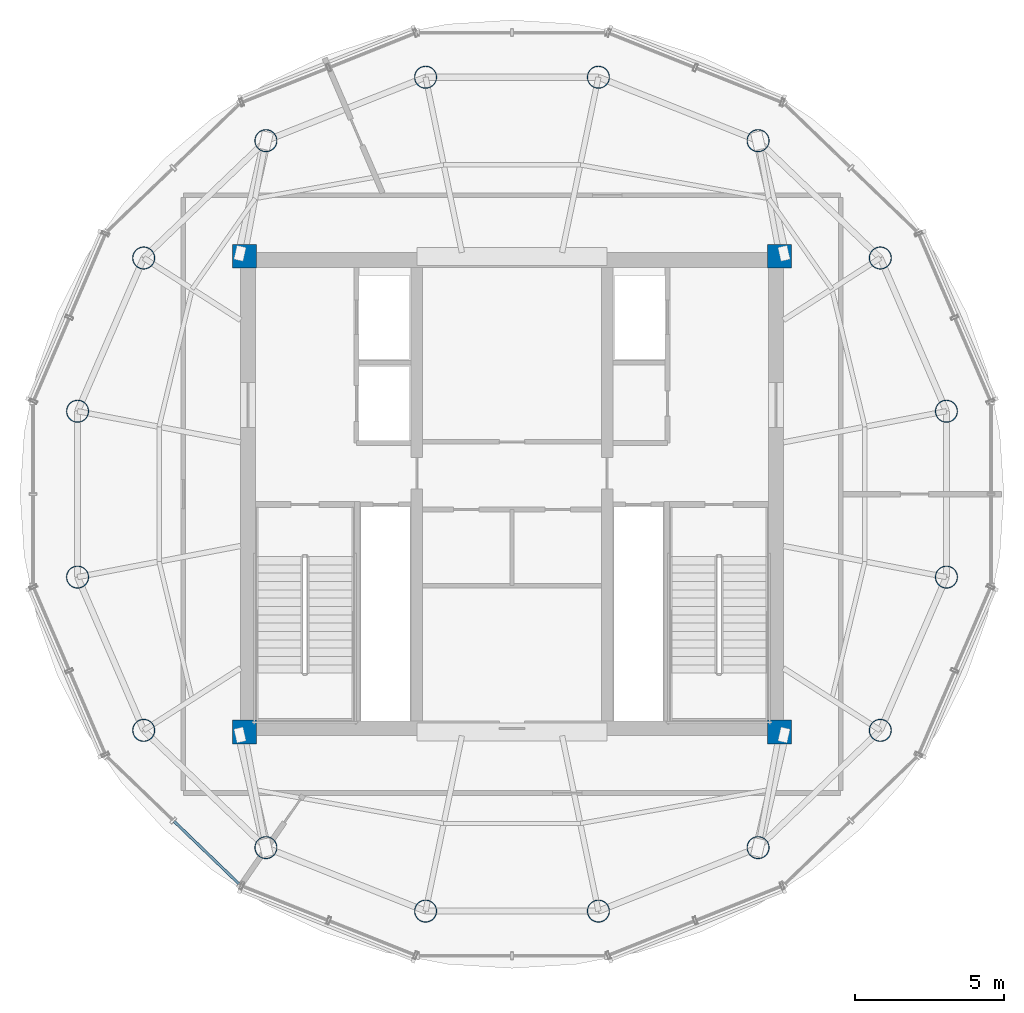
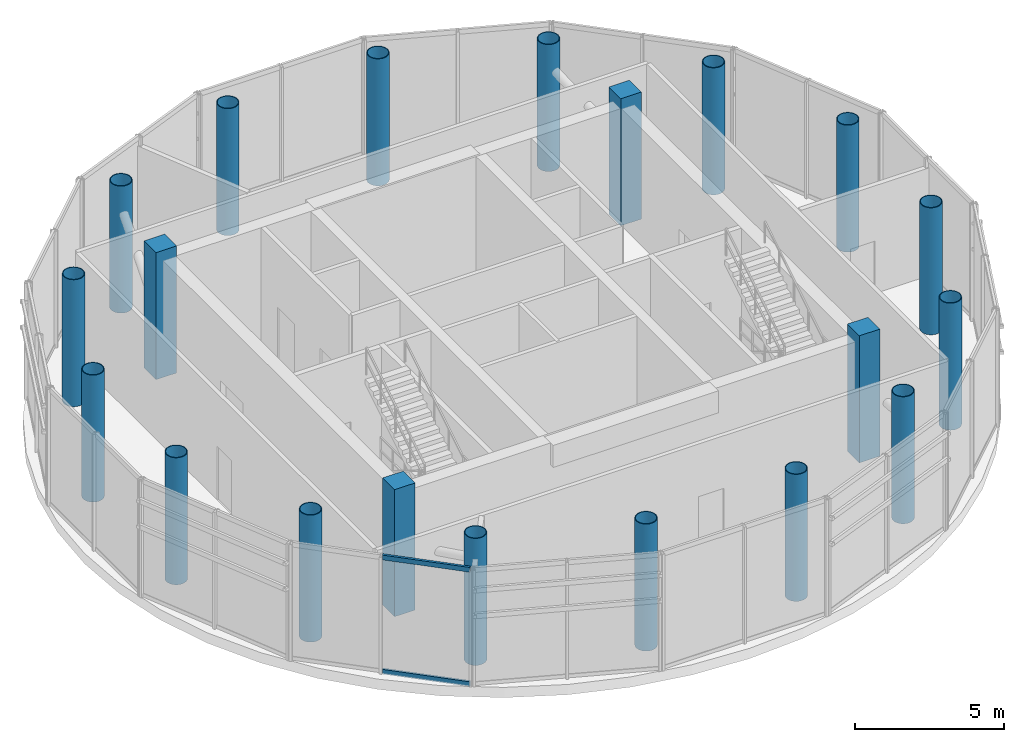
# One storey, part 1 of 14: 20 columns, 2 members, 1 element without a shape of its own.
"""IFC4 building model written with IfcOpenShell, lengths in metres."""

from ifc_helpers import new_model, si_unit, direction, frame, origin, origin_2d, place, context, subcontext, project, spatial, rectangle, hollow_rectangle, hollow_circle, extrude, source, transform, mapped, material, material_profile, profile_set, type_object, element, aggregate, save


model = new_model("IFC4")

# Units and contexts
model_context = context("Model", 3, precision=1e-05, world=origin(), true_north=direction((-0.2419218956, 0.970295726276)))
body_context = subcontext(model_context, "Body", "Model", "MODEL_VIEW")
ifc_project = project(units=[si_unit("LENGTHUNIT", "METRE"), si_unit("AREAUNIT", "SQUARE_METRE"), si_unit("VOLUMEUNIT", "CUBIC_METRE"), si_unit("PLANEANGLEUNIT", "RADIAN"), si_unit("MASSUNIT", "GRAM", prefix="KILO")], contexts=[model_context])

# Site, building, storey
site_placement = place(None, origin())
site = spatial("IfcSite", under=ifc_project, at=site_placement, CompositionType="ELEMENT")
building_placement = place(site_placement, origin())
building = spatial("IfcBuilding", under=site, at=building_placement, Name="Cobrevalo Terracotta Tower", CompositionType="ELEMENT")
storey_placement = place(building_placement, frame((0.0, 0.0, 326.89990234375)))
storey = spatial("IfcBuildingStorey", under=building, at=storey_placement, Name="L84", CompositionType="ELEMENT", Elevation=326.89990234375)

# Columns
ifc_material_1 = material(Name="Steel S355", Category="steel")
ifc_material_profile_1 = material_profile(ifc_material_1, hollow_circle(Radius=0.381103515625, WallThickness=0.028076171875, at=origin_2d()), Name="CHS 762x28")
ifc_profile_set_1 = profile_set([ifc_material_profile_1], Name="Steel S355")
column_type_1 = type_object("IfcColumnType", Name="Structural Column CHS 762x28 (Steel S355)", PredefinedType="COLUMN", material=ifc_profile_set_1)
for number, where, z_axis, x_axis, name in (
    (1, (52.61376953125, 29.58984375, 0.0), (0.0, 0.0, 1.0), (1.0, 0.0, 0.0), "L84 composite megacolumn MC01"),
    (2, (50.388916015625, 34.74462890625, 0.0), (0.0, 0.0, 1.0), (1.0, 0.0, 0.0), "L84 composite megacolumn MC02"),
    (3, (46.278076171875, 38.68994140625, 0.0), (0.0, 0.0, 1.0), (1.0, 0.0, 0.0), "L84 composite megacolumn MC03"),
    (4, (40.90673828125, 40.8251953125, 0.0), (0.0, 0.0, 1.0), (1.0, 0.0, 0.0), "L84 composite megacolumn MC04"),
    (5, (35.09326171875, 40.8251953125, 0.0), (0.0, 0.0, 1.0), (1.0, 0.0, 0.0), "L84 composite megacolumn MC05"),
    (6, (29.721923828125, 38.68994140625, 0.0), (0.0, 0.0, 1.0), (1.0, 0.0, 0.0), "L84 composite megacolumn MC06"),
    (7, (25.611083984375, 34.74462890625, 0.0), (0.0, 0.0, 1.0), (1.0, 0.0, 0.0), "L84 composite megacolumn MC07"),
    (8, (23.38623046875, 29.58984375, 0.0), (0.0, 0.0, 1.0), (1.0, 0.0, 0.0), "L84 composite megacolumn MC08"),
    (9, (23.38623046875, 24.01025390625, 0.0), (0.0, 0.0, 1.0), (1.0, 0.0, 0.0), "L84 composite megacolumn MC09"),
    (10, (25.611083984375, 18.855224609375, 0.0), (0.0, 0.0, 1.0), (1.0, 0.0, 0.0), "L84 composite megacolumn MC10"),
    (11, (29.721923828125, 14.909912109375, 0.0), (0.0, 0.0, 1.0), (1.0, 0.0, 0.0), "L84 composite megacolumn MC11"),
    (12, (35.09326171875, 12.774658203125, 0.0), (0.0, 0.0, 1.0), (1.0, 0.0, 0.0), "L84 composite megacolumn MC12"),
    (13, (40.90673828125, 12.774658203125, 0.0), (0.0, 0.0, 1.0), (1.0, 0.0, 0.0), "L84 composite megacolumn MC13"),
    (14, (46.278076171875, 14.909912109375, 0.0), (0.0, 0.0, 1.0), (1.0, 0.0, 0.0), "L84 composite megacolumn MC14"),
    (15, (50.388916015625, 18.855224609375, 0.0), (0.0, 0.0, 1.0), (1.0, 0.0, 0.0), "L84 composite megacolumn MC15"),
    (16, (52.61376953125, 24.01025390625, 0.0), (0.0, 0.0, 1.0), (1.0, 0.0, 0.0), "L84 composite megacolumn MC16"),
):
    element("IfcColumn", number, at=place(storey_placement, frame(where, z_axis=z_axis, x_axis=x_axis)), inside=storey, type_object=column_type_1, Name=name, PredefinedType="COLUMN", context=body_context, shape_type="SweptSolid", body=[
        extrude(hollow_circle(Radius=0.381103515625, WallThickness=0.028076171875, at=origin_2d()), origin(), (0.0, 0.0, 1.0), 5.2001953125),
    ])
ifc_material_2 = material(Name="Concrete C50", Category="concrete")
ifc_material_profile_2 = material_profile(ifc_material_2, rectangle(XDim=0.800048828125, YDim=0.800048828125, at=origin_2d()), Name="RC COL 800x800")
ifc_profile_set_2 = profile_set([ifc_material_profile_2], Name="Concrete C50")
column_type_2 = type_object("IfcColumnType", Name="Structural Column RC COL 800x800 (Concrete C50)", PredefinedType="COLUMN", material=ifc_profile_set_2)
for number, where, z_axis, x_axis, name in (
    (17, (29.0, 18.800048828125, 0.0), (0.0, 0.0, 1.0), (1.0, 0.0, 0.0), "L84 core corner column CC1"),
    (18, (47.0, 18.800048828125, 0.0), (0.0, 0.0, 1.0), (1.0, 0.0, 0.0), "L84 core corner column CC2"),
    (19, (47.0, 34.800048828125, 0.0), (0.0, 0.0, 1.0), (1.0, 0.0, 0.0), "L84 core corner column CC3"),
    (20, (29.0, 34.800048828125, 0.0), (0.0, 0.0, 1.0), (1.0, 0.0, 0.0), "L84 core corner column CC4"),
):
    element("IfcColumn", number, at=place(storey_placement, frame(where, z_axis=z_axis, x_axis=x_axis)), inside=storey, type_object=column_type_2, Name=name, PredefinedType="COLUMN", context=body_context, shape_type="SweptSolid", body=[
        extrude(rectangle(XDim=0.800048828125, YDim=0.800048828125, at=origin_2d()), origin(), (0.0, 0.0, 1.0), 5.2001953125),
    ])

# Curtain wall, members
ifc_material_3 = material(Name="Anodized aluminium", Category="aluminium")
curtain_wall_type = type_object("IfcCurtainWallType", Name="Faceted glass-point crown structural glazing system CW-CR", PredefinedType="NOTDEFINED", material=ifc_material_3)
curtain_wall_placement = place(storey_placement, origin())
curtain_wall = element("IfcCurtainWall", 21, at=curtain_wall_placement, inside=storey, type_object=curtain_wall_type, Name="L84 curtain wall CW-CRN-L84-S10", PredefinedType="NOTDEFINED")
ifc_material_profile_3 = material_profile(ifc_material_3, hollow_rectangle(XDim=0.090087890625, YDim=0.195068359375, WallThickness=0.005615234375, at=origin_2d()), Name="CWT 90x195")
ifc_profile_set_3 = profile_set([ifc_material_profile_3], Name="Anodized aluminium")
member_type = type_object("IfcMemberType", Name="Crown structural aluminium transom 90x195", PredefinedType="USERDEFINED", material=ifc_profile_set_3)
shared_shape = source(origin(), body_context, "Body", "SweptSolid", [
    extrude(hollow_rectangle(XDim=0.090087890625, YDim=0.195068359375, WallThickness=0.005615234375, at=origin_2d()), origin(), (0.0, 0.0, 1.0), 3.027587890625),
])
member_1_placement = place(storey_placement, frame((26.63427734375, 15.7939453125, 0.050048828125), z_axis=(0.720129171854, -0.693840021795, 0.0), x_axis=(0.693840021795, 0.720129171854, 0.0)))
member_1 = element("IfcMember", 22, at=member_1_placement, type_object=member_type, Name="CW-CRN-L84-S10 transom B02-T1", ObjectType="TRANSOM", PredefinedType="USERDEFINED", context=body_context, shape_type="MappedRepresentation", body=[
    mapped(shared_shape, transform((0.0, 0.0, 0.0), scale=1.0)),
])
member_2_placement = place(storey_placement, frame((26.63427734375, 15.7939453125, 4.72998046875), z_axis=(0.720129171854, -0.693840021795, 0.0), x_axis=(0.693840021795, 0.720129171854, 0.0)))
member_2 = element("IfcMember", 23, at=member_2_placement, type_object=member_type, Name="CW-CRN-L84-S10 transom B02-T2", ObjectType="TRANSOM", PredefinedType="USERDEFINED", context=body_context, shape_type="MappedRepresentation", body=[
    mapped(shared_shape, transform((0.0, 0.0, 0.0), scale=1.0)),
])
aggregate(curtain_wall, [member_1, member_2])

save(model, "model.ifc")
